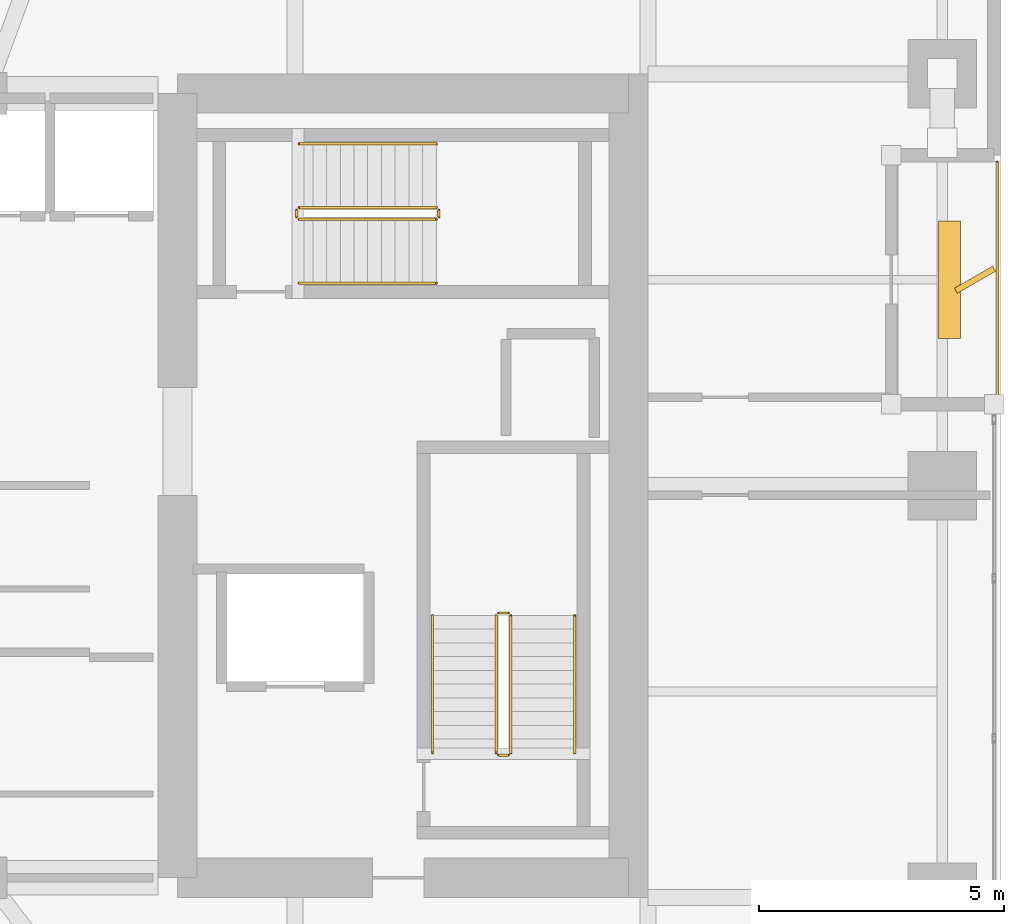
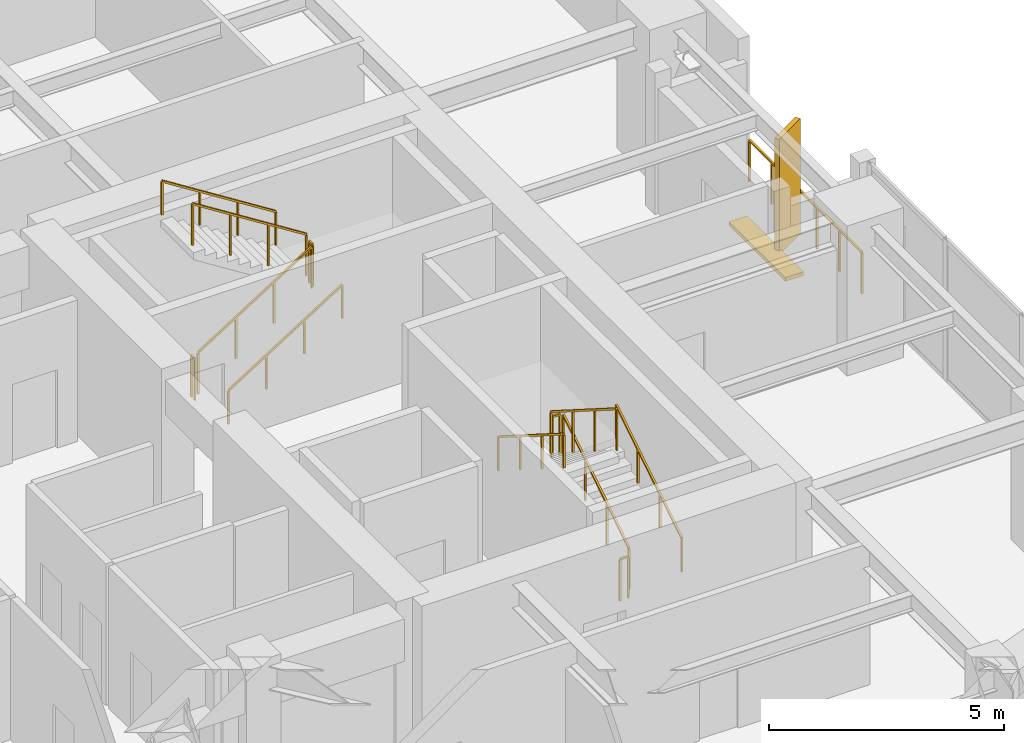
# One storey, part 29 of 30: 13 railings, 2 shading devices.
"""IFC4 building model written with IfcOpenShell, lengths in metres."""

from ifc_helpers import new_model, si_unit, direction, frame, origin, origin_2d, place, context, subcontext, project, spatial, rectangle, extrude, material, type_object, element, save


model = new_model("IFC4")

# Units and contexts
model_context = context("Model", 3, precision=1e-05, world=origin(), true_north=direction((0.0, 1.0)))
body_context = subcontext(model_context, "Body", "Model", "MODEL_VIEW")
ifc_project = project(units=[si_unit("LENGTHUNIT", "METRE"), si_unit("AREAUNIT", "SQUARE_METRE"), si_unit("VOLUMEUNIT", "CUBIC_METRE"), si_unit("PLANEANGLEUNIT", "RADIAN"), si_unit("MASSUNIT", "GRAM", prefix="KILO")], contexts=[model_context])

# Site, building, storey
site_placement = place(None, origin())
site = spatial("IfcSite", under=ifc_project, at=site_placement, CompositionType="ELEMENT")
building_placement = place(site_placement, origin())
building = spatial("IfcBuilding", under=site, at=building_placement, Name="Kiyonajd Concourse Tower", CompositionType="ELEMENT")
storey_placement = place(building_placement, frame((0.0, 0.0, 150.60009765625)))
storey = spatial("IfcBuildingStorey", under=building, at=storey_placement, Name="L38", CompositionType="ELEMENT", Elevation=150.60009765625)

# Railings
ifc_material_1 = material(Name="Thermally Broken Anodised Aluminium", Category="aluminium")
railing_type_1 = type_object("IfcRailingType", Name="RL-GRD-LOG", PredefinedType="GUARDRAIL", material=ifc_material_1)
railing_1_placement = place(storey_placement, frame((70.719970703125, 37.800048828125, 0.0)))
element("IfcRailing", 1, at=railing_1_placement, inside=storey, type_object=railing_type_1, Name="L38 Engawa Loggia Perimeter Guard LOG-E", PredefinedType="GUARDRAIL", context=body_context, shape_type="SweptSolid", body=[
    extrude(rectangle(XDim=0.048095703125, YDim=0.048095703125, at=origin_2d()), frame((0.0, 0.0, 1.076171875), z_axis=(0.0, 1.0, 0.0), x_axis=(-1.0, 0.0, 0.0)), (0.0, 0.0, 1.0), 4.800048828125),
    extrude(rectangle(XDim=0.0419921875, YDim=0.0419921875, at=origin_2d()), origin(), (0.0, 0.0, 1.0), 1.052001953125),
    extrude(rectangle(XDim=0.0419921875, YDim=0.0419921875, at=origin_2d()), frame((0.0, 0.9599609375, 0.0)), (0.0, 0.0, 1.0), 1.052001953125),
    extrude(rectangle(XDim=0.0419921875, YDim=0.0419921875, at=origin_2d()), frame((0.0, 1.919921875, 0.0)), (0.0, 0.0, 1.0), 1.052001953125),
    extrude(rectangle(XDim=0.0419921875, YDim=0.0419921875, at=origin_2d()), frame((0.0, 2.880126953125, 0.0)), (0.0, 0.0, 1.0), 1.052001953125),
    extrude(rectangle(XDim=0.0419921875, YDim=0.0419921875, at=origin_2d()), frame((0.0, 3.840087890625, 0.0)), (0.0, 0.0, 1.0), 1.052001953125),
    extrude(rectangle(XDim=0.0419921875, YDim=0.0419921875, at=origin_2d()), frame((0.0, 4.800048828125, 0.0)), (0.0, 0.0, 1.0), 1.052001953125),
])
ifc_material_2 = material(Name="Steel ASTM A500 Grade C", Category="steel")
railing_type_2 = type_object("IfcRailingType", Name="RL-GRD-STR", PredefinedType="GUARDRAIL", material=ifc_material_2)
railing_2_placement = place(storey_placement, frame((60.800048828125, 30.550048828125, 0.17724609375)))
element("IfcRailing", 2, at=railing_2_placement, inside=storey, type_object=railing_type_2, Name="L38 ST2 stair guard 1", PredefinedType="GUARDRAIL", context=body_context, shape_type="SweptSolid", body=[
    extrude(rectangle(XDim=0.048095703125, YDim=0.048095703125, at=origin_2d()), frame((0.0, 0.0, 1.076171875), z_axis=(0.0, 0.844908973607, 0.534910110503), x_axis=(-1.0, 0.0, 0.0)), (0.0, 0.0, 1.0), 3.31396484375),
    extrude(rectangle(XDim=0.0419921875, YDim=0.0419921875, at=origin_2d()), origin(), (0.0, 0.0, 1.0), 1.052001953125),
    extrude(rectangle(XDim=0.0419921875, YDim=0.0419921875, at=origin_2d()), frame((0.0, 0.933349609375, 0.5908203125)), (0.0, 0.0, 1.0), 1.052001953125),
    extrude(rectangle(XDim=0.0419921875, YDim=0.0419921875, at=origin_2d()), frame((0.0, 1.86669921875, 1.181884765625)), (0.0, 0.0, 1.0), 1.052001953125),
    extrude(rectangle(XDim=0.0419921875, YDim=0.0419921875, at=origin_2d()), frame((0.0, 2.800048828125, 1.772705078125)), (0.0, 0.0, 1.0), 1.052001953125),
])
railing_3_placement = place(storey_placement, frame((60.75, 33.39990234375, 1.949951171875)))
element("IfcRailing", 3, at=railing_3_placement, inside=storey, type_object=railing_type_2, Name="L38 ST2 stair guard 2", PredefinedType="GUARDRAIL", context=body_context, shape_type="SweptSolid", body=[
    extrude(rectangle(XDim=0.048095703125, YDim=0.048095703125, at=origin_2d()), frame((0.0, 0.0, 1.076171875), z_axis=(-1.0, 0.0, 0.0), x_axis=(0.0, -1.0, 0.0)), (0.0, 0.0, 1.0), 0.199951171875),
    extrude(rectangle(XDim=0.0419921875, YDim=0.0419921875, at=origin_2d()), origin(), (0.0, 0.0, 1.0), 1.052001953125),
    extrude(rectangle(XDim=0.0419921875, YDim=0.0419921875, at=origin_2d()), frame((-0.199951171875, 0.0, 0.0)), (0.0, 0.0, 1.0), 1.052001953125),
])
railing_4_placement = place(storey_placement, frame((60.5, 33.35009765625, 2.127197265625)))
element("IfcRailing", 4, at=railing_4_placement, inside=storey, type_object=railing_type_2, Name="L38 ST2 stair guard 3", PredefinedType="GUARDRAIL", context=body_context, shape_type="SweptSolid", body=[
    extrude(rectangle(XDim=0.048095703125, YDim=0.048095703125, at=origin_2d()), frame((0.0, 0.0, 1.076171875), z_axis=(0.0, -0.844908973607, 0.534910110503), x_axis=(1.0, 0.0, 0.0)), (0.0, 0.0, 1.0), 3.31396484375),
    extrude(rectangle(XDim=0.0419921875, YDim=0.0419921875, at=origin_2d()), origin(), (0.0, 0.0, 1.0), 1.052001953125),
    extrude(rectangle(XDim=0.0419921875, YDim=0.0419921875, at=origin_2d()), frame((0.0, -0.933349609375, 0.5908203125)), (0.0, 0.0, 1.0), 1.052001953125),
    extrude(rectangle(XDim=0.0419921875, YDim=0.0419921875, at=origin_2d()), frame((0.0, -1.86669921875, 1.181884765625)), (0.0, 0.0, 1.0), 1.052001953125),
    extrude(rectangle(XDim=0.0419921875, YDim=0.0419921875, at=origin_2d()), frame((0.0, -2.800048828125, 1.772705078125)), (0.0, 0.0, 1.0), 1.052001953125),
])
railing_5_placement = place(storey_placement, frame((60.75, 30.5, 0.0)))
element("IfcRailing", 5, at=railing_5_placement, inside=storey, type_object=railing_type_2, Name="L38 ST2 stair guard 4", PredefinedType="GUARDRAIL", context=body_context, shape_type="SweptSolid", body=[
    extrude(rectangle(XDim=0.048095703125, YDim=0.048095703125, at=origin_2d()), frame((0.0, 0.0, 1.076171875), z_axis=(-1.0, 0.0, 0.0), x_axis=(0.0, -1.0, 0.0)), (0.0, 0.0, 1.0), 0.199951171875),
    extrude(rectangle(XDim=0.0419921875, YDim=0.0419921875, at=origin_2d()), origin(), (0.0, 0.0, 1.0), 1.052001953125),
    extrude(rectangle(XDim=0.0419921875, YDim=0.0419921875, at=origin_2d()), frame((-0.199951171875, 0.0, 0.0)), (0.0, 0.0, 1.0), 1.052001953125),
])
railing_6_placement = place(storey_placement, frame((56.47998046875, 41.429931640625, 0.17724609375)))
element("IfcRailing", 6, at=railing_6_placement, inside=storey, type_object=railing_type_2, Name="L38 ST3 stair guard 1", PredefinedType="GUARDRAIL", context=body_context, shape_type="SweptSolid", body=[
    extrude(rectangle(XDim=0.048095703125, YDim=0.048095703125, at=origin_2d()), frame((0.0, 0.0, 1.076171875), z_axis=(0.844908973607, 0.0, 0.534910110503), x_axis=(0.0, 1.0, 0.0)), (0.0, 0.0, 1.0), 3.31396484375),
    extrude(rectangle(XDim=0.0419921875, YDim=0.0419921875, at=origin_2d()), origin(), (0.0, 0.0, 1.0), 1.052001953125),
    extrude(rectangle(XDim=0.0419921875, YDim=0.0419921875, at=origin_2d()), frame((0.933349609375, 0.0, 0.5908203125)), (0.0, 0.0, 1.0), 1.052001953125),
    extrude(rectangle(XDim=0.0419921875, YDim=0.0419921875, at=origin_2d()), frame((1.86669921875, 0.0, 1.181884765625)), (0.0, 0.0, 1.0), 1.052001953125),
    extrude(rectangle(XDim=0.0419921875, YDim=0.0419921875, at=origin_2d()), frame((2.800048828125, 0.0, 1.772705078125)), (0.0, 0.0, 1.0), 1.052001953125),
])
railing_7_placement = place(storey_placement, frame((59.330078125, 41.47998046875, 1.949951171875)))
element("IfcRailing", 7, at=railing_7_placement, inside=storey, type_object=railing_type_2, Name="L38 ST3 stair guard 2", PredefinedType="GUARDRAIL", context=body_context, shape_type="SweptSolid", body=[
    extrude(rectangle(XDim=0.048095703125, YDim=0.048095703125, at=origin_2d()), frame((0.0, 0.0, 1.076171875), z_axis=(0.0, 1.0, 0.0), x_axis=(-1.0, 0.0, 0.0)), (0.0, 0.0, 1.0), 0.14013671875),
    extrude(rectangle(XDim=0.0419921875, YDim=0.0419921875, at=origin_2d()), origin(), (0.0, 0.0, 1.0), 1.052001953125),
    extrude(rectangle(XDim=0.0419921875, YDim=0.0419921875, at=origin_2d()), frame((0.0, 0.14013671875, 0.0)), (0.0, 0.0, 1.0), 1.052001953125),
])
railing_8_placement = place(storey_placement, frame((59.280029296875, 41.669921875, 2.127197265625)))
element("IfcRailing", 8, at=railing_8_placement, inside=storey, type_object=railing_type_2, Name="L38 ST3 stair guard 3", PredefinedType="GUARDRAIL", context=body_context, shape_type="SweptSolid", body=[
    extrude(rectangle(XDim=0.048095703125, YDim=0.048095703125, at=origin_2d()), frame((0.0, 0.0, 1.076171875), z_axis=(-0.844908973607, 0.0, 0.534910110503), x_axis=(0.0, -1.0, 0.0)), (0.0, 0.0, 1.0), 3.31396484375),
    extrude(rectangle(XDim=0.0419921875, YDim=0.0419921875, at=origin_2d()), origin(), (0.0, 0.0, 1.0), 1.052001953125),
    extrude(rectangle(XDim=0.0419921875, YDim=0.0419921875, at=origin_2d()), frame((-0.933349609375, 0.0, 0.5908203125)), (0.0, 0.0, 1.0), 1.052001953125),
    extrude(rectangle(XDim=0.0419921875, YDim=0.0419921875, at=origin_2d()), frame((-1.86669921875, 0.0, 1.181884765625)), (0.0, 0.0, 1.0), 1.052001953125),
    extrude(rectangle(XDim=0.0419921875, YDim=0.0419921875, at=origin_2d()), frame((-2.800048828125, 0.0, 1.772705078125)), (0.0, 0.0, 1.0), 1.052001953125),
])
railing_9_placement = place(storey_placement, frame((56.429931640625, 41.47998046875, 0.0)))
element("IfcRailing", 9, at=railing_9_placement, inside=storey, type_object=railing_type_2, Name="L38 ST3 stair guard 4", PredefinedType="GUARDRAIL", context=body_context, shape_type="SweptSolid", body=[
    extrude(rectangle(XDim=0.048095703125, YDim=0.048095703125, at=origin_2d()), frame((0.0, 0.0, 1.076171875), z_axis=(0.0, 1.0, 0.0), x_axis=(-1.0, 0.0, 0.0)), (0.0, 0.0, 1.0), 0.14013671875),
    extrude(rectangle(XDim=0.0419921875, YDim=0.0419921875, at=origin_2d()), origin(), (0.0, 0.0, 1.0), 1.052001953125),
    extrude(rectangle(XDim=0.0419921875, YDim=0.0419921875, at=origin_2d()), frame((0.0, 0.14013671875, 0.0)), (0.0, 0.0, 1.0), 1.052001953125),
])
ifc_material_3 = material(Name="Brushed Stainless Steel Cab Assembly", Category="steel")
railing_type_3 = type_object("IfcRailingType", Name="RL-HND-900", PredefinedType="HANDRAIL", material=ifc_material_3)
railing_10_placement = place(storey_placement, frame((62.10009765625, 30.550048828125, 0.17724609375)))
element("IfcRailing", 10, at=railing_10_placement, inside=storey, type_object=railing_type_3, Name="L38 ST2 stair handrail 1", PredefinedType="HANDRAIL", context=body_context, shape_type="SweptSolid", body=[
    extrude(rectangle(XDim=0.048095703125, YDim=0.048095703125, at=origin_2d()), frame((0.0, 0.0, 0.8759765625), z_axis=(0.0, 0.844908973607, 0.534910110503), x_axis=(-1.0, 0.0, 0.0)), (0.0, 0.0, 1.0), 3.31396484375),
    extrude(rectangle(XDim=0.0419921875, YDim=0.0419921875, at=origin_2d()), origin(), (0.0, 0.0, 1.0), 0.851806640625),
    extrude(rectangle(XDim=0.0419921875, YDim=0.0419921875, at=origin_2d()), frame((0.0, 0.933349609375, 0.5908203125)), (0.0, 0.0, 1.0), 0.851806640625),
    extrude(rectangle(XDim=0.0419921875, YDim=0.0419921875, at=origin_2d()), frame((0.0, 1.86669921875, 1.181884765625)), (0.0, 0.0, 1.0), 0.851806640625),
    extrude(rectangle(XDim=0.0419921875, YDim=0.0419921875, at=origin_2d()), frame((0.0, 2.800048828125, 1.772705078125)), (0.0, 0.0, 1.0), 0.851806640625),
])
railing_11_placement = place(storey_placement, frame((59.199951171875, 33.35009765625, 2.127197265625)))
element("IfcRailing", 11, at=railing_11_placement, inside=storey, type_object=railing_type_3, Name="L38 ST2 stair handrail 2", PredefinedType="HANDRAIL", context=body_context, shape_type="SweptSolid", body=[
    extrude(rectangle(XDim=0.048095703125, YDim=0.048095703125, at=origin_2d()), frame((0.0, 0.0, 0.8759765625), z_axis=(0.0, -0.844908973607, 0.534910110503), x_axis=(1.0, 0.0, 0.0)), (0.0, 0.0, 1.0), 3.31396484375),
    extrude(rectangle(XDim=0.0419921875, YDim=0.0419921875, at=origin_2d()), origin(), (0.0, 0.0, 1.0), 0.851806640625),
    extrude(rectangle(XDim=0.0419921875, YDim=0.0419921875, at=origin_2d()), frame((0.0, -0.933349609375, 0.5908203125)), (0.0, 0.0, 1.0), 0.851806640625),
    extrude(rectangle(XDim=0.0419921875, YDim=0.0419921875, at=origin_2d()), frame((0.0, -1.86669921875, 1.181884765625)), (0.0, 0.0, 1.0), 0.851806640625),
    extrude(rectangle(XDim=0.0419921875, YDim=0.0419921875, at=origin_2d()), frame((0.0, -2.800048828125, 1.772705078125)), (0.0, 0.0, 1.0), 0.851806640625),
])
railing_12_placement = place(storey_placement, frame((56.47998046875, 40.1298828125, 0.17724609375)))
element("IfcRailing", 12, at=railing_12_placement, inside=storey, type_object=railing_type_3, Name="L38 ST3 stair handrail 1", PredefinedType="HANDRAIL", context=body_context, shape_type="SweptSolid", body=[
    extrude(rectangle(XDim=0.048095703125, YDim=0.048095703125, at=origin_2d()), frame((0.0, 0.0, 0.8759765625), z_axis=(0.844908973607, 0.0, 0.534910110503), x_axis=(0.0, 1.0, 0.0)), (0.0, 0.0, 1.0), 3.31396484375),
    extrude(rectangle(XDim=0.0419921875, YDim=0.0419921875, at=origin_2d()), origin(), (0.0, 0.0, 1.0), 0.851806640625),
    extrude(rectangle(XDim=0.0419921875, YDim=0.0419921875, at=origin_2d()), frame((0.933349609375, 0.0, 0.5908203125)), (0.0, 0.0, 1.0), 0.851806640625),
    extrude(rectangle(XDim=0.0419921875, YDim=0.0419921875, at=origin_2d()), frame((1.86669921875, 0.0, 1.181884765625)), (0.0, 0.0, 1.0), 0.851806640625),
    extrude(rectangle(XDim=0.0419921875, YDim=0.0419921875, at=origin_2d()), frame((2.800048828125, 0.0, 1.772705078125)), (0.0, 0.0, 1.0), 0.851806640625),
])
railing_13_placement = place(storey_placement, frame((59.280029296875, 42.969970703125, 2.127197265625)))
element("IfcRailing", 13, at=railing_13_placement, inside=storey, type_object=railing_type_3, Name="L38 ST3 stair handrail 2", PredefinedType="HANDRAIL", context=body_context, shape_type="SweptSolid", body=[
    extrude(rectangle(XDim=0.048095703125, YDim=0.048095703125, at=origin_2d()), frame((0.0, 0.0, 0.8759765625), z_axis=(-0.844908973607, 0.0, 0.534910110503), x_axis=(0.0, -1.0, 0.0)), (0.0, 0.0, 1.0), 3.31396484375),
    extrude(rectangle(XDim=0.0419921875, YDim=0.0419921875, at=origin_2d()), origin(), (0.0, 0.0, 1.0), 0.851806640625),
    extrude(rectangle(XDim=0.0419921875, YDim=0.0419921875, at=origin_2d()), frame((-0.933349609375, 0.0, 0.5908203125)), (0.0, 0.0, 1.0), 0.851806640625),
    extrude(rectangle(XDim=0.0419921875, YDim=0.0419921875, at=origin_2d()), frame((-1.86669921875, 0.0, 1.181884765625)), (0.0, 0.0, 1.0), 0.851806640625),
    extrude(rectangle(XDim=0.0419921875, YDim=0.0419921875, at=origin_2d()), frame((-2.800048828125, 0.0, 1.772705078125)), (0.0, 0.0, 1.0), 0.851806640625),
])

# Shading devices
ifc_material_4 = material(Name="Precast concrete C50/60", Category="concrete")
shading_device_type_1 = type_object("IfcShadingDeviceType", Name="SH-FIN-900", PredefinedType="USERDEFINED", material=ifc_material_4)
shading_device_1_placement = place(storey_placement, frame((70.27001953125, 40.199951171875, 0.0), z_axis=(0.0, 0.0, 1.0), x_axis=(0.866025403784, 0.5, 0.0)))
element("IfcShadingDevice", 14, at=shading_device_1_placement, inside=storey, type_object=shading_device_type_1, Name="L38 Angled Koshi Solar Fin LOG-E", ObjectType="FIN", PredefinedType="USERDEFINED", context=body_context, shape_type="SweptSolid", body=[
    extrude(rectangle(XDim=0.89990234375, YDim=0.1201171875, at=origin_2d()), origin(), (0.0, 0.0, 1.0), 3.0),
])
shading_device_type_2 = type_object("IfcShadingDeviceType", Name="SH-LVR-600", PredefinedType="JALOUSIE", material=ifc_material_1)
shading_device_2_placement = place(storey_placement, frame((69.75, 40.199951171875, -0.000244140625), z_axis=(0.0, 0.0, 1.0), x_axis=(0.0, 1.0, 0.0)))
element("IfcShadingDevice", 15, at=shading_device_2_placement, inside=storey, type_object=shading_device_type_2, Name="L38 Loggia Threshold Louver LOG-E", PredefinedType="JALOUSIE", context=body_context, shape_type="SweptSolid", body=[
    extrude(rectangle(XDim=2.39990234375, YDim=0.449951171875, at=origin_2d()), origin(), (0.0, 0.0, 1.0), 0.10009765625),
])

save(model, "model.ifc")
